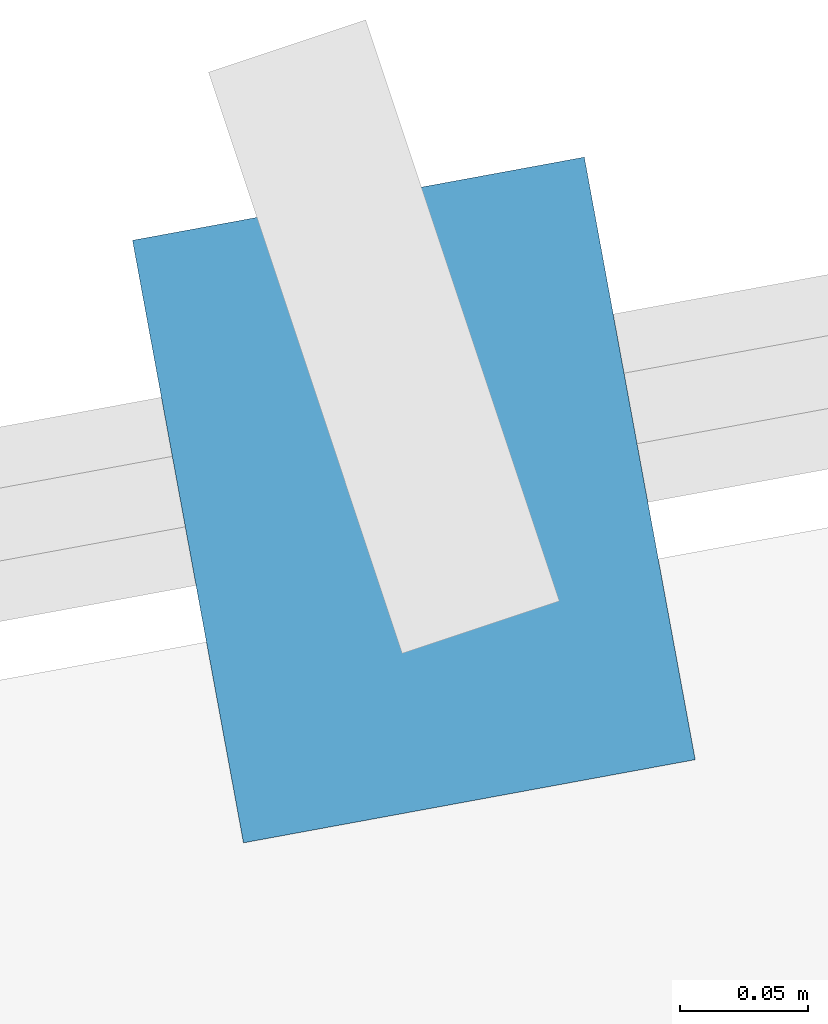
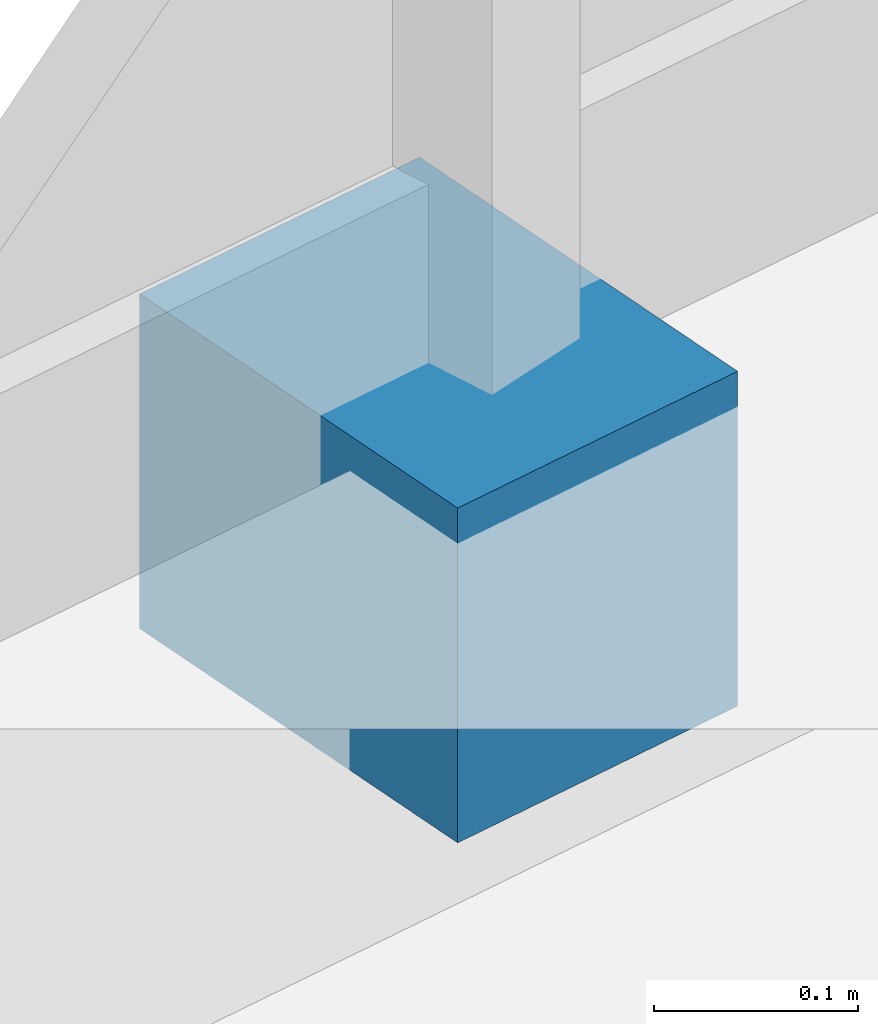
# One storey, part 19 of 22: 1 discrete accessory.
"""IFC4 building model written with IfcOpenShell, lengths in metres."""

from ifc_helpers import new_model, si_unit, direction, frame, origin, origin_2d, place, context, subcontext, project, spatial, rectangle, extrude, source, transform, mapped, material, type_object, type_shapes, element, save


model = new_model("IFC4")

# Units and contexts
model_context = context("Model", 3, precision=1e-05, world=origin(), true_north=direction((0.0, 1.0)))
body_context = subcontext(model_context, "Body", "Model", "MODEL_VIEW")
ifc_project = project(units=[si_unit("LENGTHUNIT", "METRE"), si_unit("AREAUNIT", "SQUARE_METRE"), si_unit("VOLUMEUNIT", "CUBIC_METRE"), si_unit("PLANEANGLEUNIT", "RADIAN"), si_unit("MASSUNIT", "GRAM", prefix="KILO")], contexts=[model_context])

# Site, building, storey
site_placement = place(None, origin())
site = spatial("IfcSite", under=ifc_project, at=site_placement, CompositionType="ELEMENT")
building_placement = place(site_placement, origin())
building = spatial("IfcBuilding", under=site, at=building_placement, Name="Talar Marvaseh", CompositionType="ELEMENT")
storey_placement = place(building_placement, frame((0.0, 0.0, 121.800048828125)))
storey = spatial("IfcBuildingStorey", under=building, at=storey_placement, Name="L31", CompositionType="ELEMENT", Elevation=121.800048828125)

# Discrete accessory
ifc_material = material(Name="Stainless Steel Grade 316", Category="steel")
discrete_accessory_type = type_object("IfcDiscreteAccessoryType", Name="Stainless Slab-Edge Fin Mounting Bracket", PredefinedType="BRACKET", material=ifc_material)
shared_shape = source(origin(), body_context, "Body", "SweptSolid", [
    extrude(rectangle(XDim=0.239990234375, YDim=0.179931640625, at=origin_2d()), origin(), (0.0, 0.0, 1.0), 0.199951171875),
])
type_shapes(discrete_accessory_type, [shared_shape])
discrete_accessory_placement = place(storey_placement, frame((30.82421875, 45.666015625, -0.18017578125), z_axis=(0.0, 0.0, 1.0), x_axis=(-0.1810341173, 0.983476816388, 0.0)))
element("IfcDiscreteAccessory", 1, at=discrete_accessory_placement, inside=storey, type_object=discrete_accessory_type, Name="L31 Vertical Fin Slab-Edge Bracket", PredefinedType="BRACKET", context=body_context, shape_type="MappedRepresentation", body=[
    mapped(shared_shape, transform((0.0, 0.0, 0.0), x_axis=(1.0, 0.0, 0.0), y_axis=(0.0, 1.0, 0.0), z_axis=(0.0, 0.0, 1.0), scale=1.0)),
])

save(model, "model.ifc")
